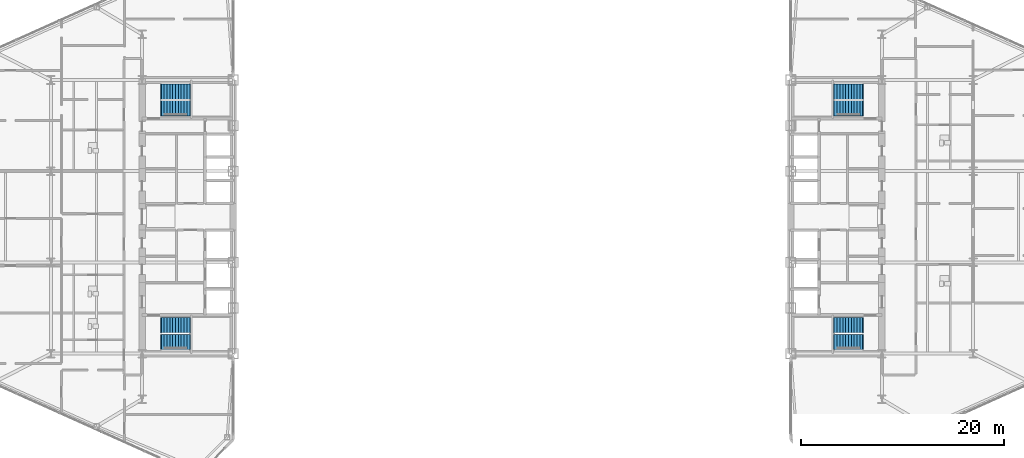
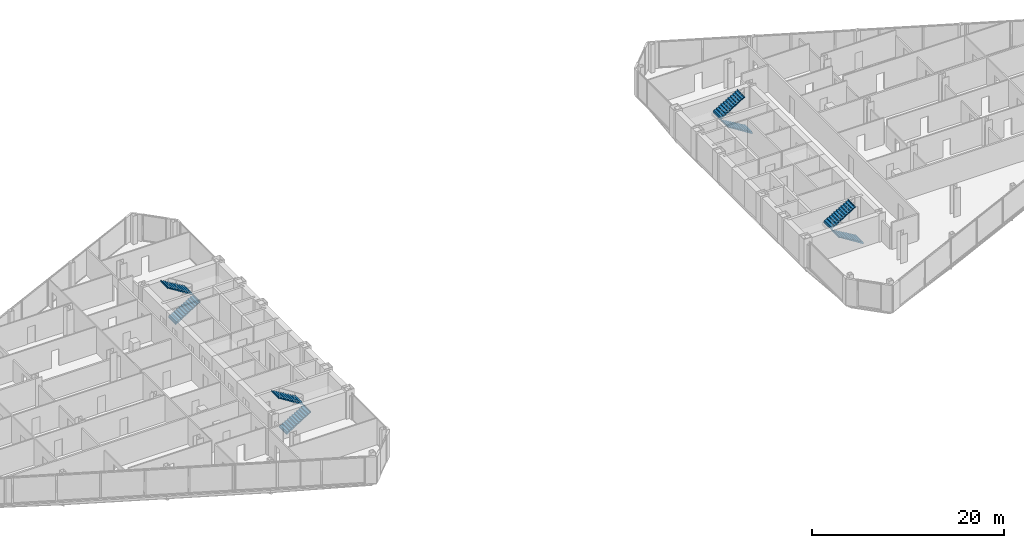
# One storey, part 25 of 27: 8 stair flights, 4 elements without a shape of their own.
"""IFC4 building model written with IfcOpenShell, lengths in metres."""

from ifc_helpers import new_model, si_unit, direction, frame, origin, place, context, subcontext, project, spatial, polyline, outline, extrude, material, type_object, element, aggregate, save


model = new_model("IFC4")

# Units and contexts
model_context = context("Model", 3, precision=1e-05, world=origin(), true_north=direction((0.0, 1.0)))
body_context = subcontext(model_context, "Body", "Model", "MODEL_VIEW")
ifc_project = project(units=[si_unit("LENGTHUNIT", "METRE"), si_unit("AREAUNIT", "SQUARE_METRE"), si_unit("VOLUMEUNIT", "CUBIC_METRE"), si_unit("PLANEANGLEUNIT", "RADIAN"), si_unit("MASSUNIT", "GRAM", prefix="KILO")], contexts=[model_context])

# Site, building, storey
site_placement = place(None, origin())
site = spatial("IfcSite", under=ifc_project, at=site_placement, CompositionType="ELEMENT")
building_placement = place(site_placement, origin())
building = spatial("IfcBuilding", under=site, at=building_placement, Name="Seokmaru Belvedere", CompositionType="ELEMENT")
storey_placement = place(building_placement, frame((0.0, 0.0, 69.300048828125)))
storey = spatial("IfcBuildingStorey", under=building, at=storey_placement, Name="L18", CompositionType="ELEMENT", Elevation=69.300048828125)

# Stair, stair flights
ifc_material = material(Name="Concrete C40 (40 MPa)", Category="concrete")
stair_type = type_object("IfcStairType", Name="Typical Tower Core Dog-Leg Stair 3600", PredefinedType="TWO_STRAIGHT_RUN_STAIR", material=ifc_material)
stair_1_placement = place(storey_placement, origin())
stair_1 = element("IfcStair", 1, at=stair_1_placement, inside=storey, type_object=stair_type, Name="L18 Special Escape Stair ST-W1", PredefinedType="TWO_STRAIGHT_RUN_STAIR")
stair_flight_type = type_object("IfcStairFlightType", Name="Reinforced Concrete Stair Flight 1500", PredefinedType="STRAIGHT", material=ifc_material)
stair_flight_1_placement = place(storey_placement, frame((-34.60009765625, -12.35009765625, 0.0), z_axis=(0.0, 0.0, 1.0), x_axis=(1.0, 0.0, 0.0)))
stair_flight_1 = element("IfcStairFlight", 2, at=stair_flight_1_placement, type_object=stair_flight_type, Name="ST-W1 flight 1", NumberOfRisers=11, NumberOfTreads=10, PredefinedType="STRAIGHT", RiserHeight=0.163636364, TreadLength=0.28, context=body_context, shape_type="SweptSolid", body=[
    extrude(outline(polyline([(-0.080078125, 0.0), (0.0, 0.16357421875), (0.280029296875, 0.16357421875), (0.280029296875, 0.327392578125), (0.56005859375, 0.327392578125), (0.56005859375, 0.490966796875), (0.840087890625, 0.490966796875), (0.840087890625, 0.654541015625), (1.1201171875, 0.654541015625), (1.1201171875, 0.818115234375), (1.39990234375, 0.818115234375), (1.39990234375, 0.98193359375), (1.679931640625, 0.98193359375), (1.679931640625, 1.1455078125), (1.9599609375, 1.1455078125), (1.9599609375, 1.30908203125), (2.239990234375, 1.30908203125), (2.239990234375, 1.47265625), (2.52001953125, 1.47265625), (2.52001953125, 1.636474609375), (2.800048828125, 1.636474609375), (2.800048828125, 1.800048828125), (2.8798828125, 1.800048828125), (2.8798828125, 1.610107421875), (2.800048828125, 1.610107421875), (0.0, -0.159912109375), (-0.080078125, -0.159912109375), (-0.080078125, 0.0)])), frame((0.0, 0.75, 0.0), z_axis=(0.0, -1.0, 0.0), x_axis=(1.0, 0.0, 0.0)), (0.0, 0.0, 1.0), 1.5),
])
stair_flight_2_placement = place(storey_placement, frame((-31.800048828125, -10.7099609375, 1.800048828125), z_axis=(0.0, 0.0, 1.0), x_axis=(-1.0, 0.0, 0.0)))
stair_flight_2 = element("IfcStairFlight", 3, at=stair_flight_2_placement, type_object=stair_flight_type, Name="ST-W1 flight 2", NumberOfRisers=11, NumberOfTreads=10, PredefinedType="STRAIGHT", RiserHeight=0.163636364, TreadLength=0.28, context=body_context, shape_type="SweptSolid", body=[
    extrude(outline(polyline([(-0.080078125, 0.0), (0.0, 0.16357421875), (0.280029296875, 0.16357421875), (0.280029296875, 0.327392578125), (0.56005859375, 0.327392578125), (0.56005859375, 0.490966796875), (0.840087890625, 0.490966796875), (0.840087890625, 0.654541015625), (1.1201171875, 0.654541015625), (1.1201171875, 0.818115234375), (1.39990234375, 0.818115234375), (1.39990234375, 0.98193359375), (1.679931640625, 0.98193359375), (1.679931640625, 1.1455078125), (1.9599609375, 1.1455078125), (1.9599609375, 1.30908203125), (2.239990234375, 1.30908203125), (2.239990234375, 1.47265625), (2.52001953125, 1.47265625), (2.52001953125, 1.636474609375), (2.800048828125, 1.636474609375), (2.800048828125, 1.800048828125), (2.8798828125, 1.800048828125), (2.8798828125, 1.610107421875), (2.800048828125, 1.610107421875), (0.0, -0.159912109375), (-0.080078125, -0.159912109375), (-0.080078125, 0.0)])), frame((0.0, 0.75, 0.0), z_axis=(0.0, -1.0, 0.0), x_axis=(1.0, 0.0, 0.0)), (0.0, 0.0, 1.0), 1.5),
])
aggregate(stair_1, [stair_flight_1, stair_flight_2])

stair_2_placement = place(storey_placement, origin())
stair_2 = element("IfcStair", 4, at=stair_2_placement, inside=storey, type_object=stair_type, Name="L18 Special Escape Stair ST-W2", PredefinedType="TWO_STRAIGHT_RUN_STAIR")
stair_flight_3_placement = place(storey_placement, frame((-34.60009765625, 10.7099609375, 0.0), z_axis=(0.0, 0.0, 1.0), x_axis=(1.0, 0.0, 0.0)))
stair_flight_3 = element("IfcStairFlight", 5, at=stair_flight_3_placement, type_object=stair_flight_type, Name="ST-W2 flight 1", NumberOfRisers=11, NumberOfTreads=10, PredefinedType="STRAIGHT", RiserHeight=0.163636364, TreadLength=0.28, context=body_context, shape_type="SweptSolid", body=[
    extrude(outline(polyline([(-0.080078125, 0.0), (0.0, 0.16357421875), (0.280029296875, 0.16357421875), (0.280029296875, 0.327392578125), (0.56005859375, 0.327392578125), (0.56005859375, 0.490966796875), (0.840087890625, 0.490966796875), (0.840087890625, 0.654541015625), (1.1201171875, 0.654541015625), (1.1201171875, 0.818115234375), (1.39990234375, 0.818115234375), (1.39990234375, 0.98193359375), (1.679931640625, 0.98193359375), (1.679931640625, 1.1455078125), (1.9599609375, 1.1455078125), (1.9599609375, 1.30908203125), (2.239990234375, 1.30908203125), (2.239990234375, 1.47265625), (2.52001953125, 1.47265625), (2.52001953125, 1.636474609375), (2.800048828125, 1.636474609375), (2.800048828125, 1.800048828125), (2.8798828125, 1.800048828125), (2.8798828125, 1.610107421875), (2.800048828125, 1.610107421875), (0.0, -0.159912109375), (-0.080078125, -0.159912109375), (-0.080078125, 0.0)])), frame((0.0, 0.75, 0.0), z_axis=(0.0, -1.0, 0.0), x_axis=(1.0, 0.0, 0.0)), (0.0, 0.0, 1.0), 1.5),
])
stair_flight_4_placement = place(storey_placement, frame((-31.800048828125, 12.35009765625, 1.800048828125), z_axis=(0.0, 0.0, 1.0), x_axis=(-1.0, 0.0, 0.0)))
stair_flight_4 = element("IfcStairFlight", 6, at=stair_flight_4_placement, type_object=stair_flight_type, Name="ST-W2 flight 2", NumberOfRisers=11, NumberOfTreads=10, PredefinedType="STRAIGHT", RiserHeight=0.163636364, TreadLength=0.28, context=body_context, shape_type="SweptSolid", body=[
    extrude(outline(polyline([(-0.080078125, 0.0), (0.0, 0.16357421875), (0.280029296875, 0.16357421875), (0.280029296875, 0.327392578125), (0.56005859375, 0.327392578125), (0.56005859375, 0.490966796875), (0.840087890625, 0.490966796875), (0.840087890625, 0.654541015625), (1.1201171875, 0.654541015625), (1.1201171875, 0.818115234375), (1.39990234375, 0.818115234375), (1.39990234375, 0.98193359375), (1.679931640625, 0.98193359375), (1.679931640625, 1.1455078125), (1.9599609375, 1.1455078125), (1.9599609375, 1.30908203125), (2.239990234375, 1.30908203125), (2.239990234375, 1.47265625), (2.52001953125, 1.47265625), (2.52001953125, 1.636474609375), (2.800048828125, 1.636474609375), (2.800048828125, 1.800048828125), (2.8798828125, 1.800048828125), (2.8798828125, 1.610107421875), (2.800048828125, 1.610107421875), (0.0, -0.159912109375), (-0.080078125, -0.159912109375), (-0.080078125, 0.0)])), frame((0.0, 0.75, 0.0), z_axis=(0.0, -1.0, 0.0), x_axis=(1.0, 0.0, 0.0)), (0.0, 0.0, 1.0), 1.5),
])
aggregate(stair_2, [stair_flight_3, stair_flight_4])

stair_3_placement = place(storey_placement, origin())
stair_3 = element("IfcStair", 7, at=stair_3_placement, inside=storey, type_object=stair_type, Name="L18 Special Escape Stair ST-E1", PredefinedType="TWO_STRAIGHT_RUN_STAIR")
stair_flight_5_placement = place(storey_placement, frame((34.60009765625, -12.35009765625, 0.0), z_axis=(0.0, 0.0, 1.0), x_axis=(-1.0, 0.0, 0.0)))
stair_flight_5 = element("IfcStairFlight", 8, at=stair_flight_5_placement, type_object=stair_flight_type, Name="ST-E1 flight 1", NumberOfRisers=11, NumberOfTreads=10, PredefinedType="STRAIGHT", RiserHeight=0.163636364, TreadLength=0.28, context=body_context, shape_type="SweptSolid", body=[
    extrude(outline(polyline([(-0.080078125, 0.0), (0.0, 0.16357421875), (0.280029296875, 0.16357421875), (0.280029296875, 0.327392578125), (0.56005859375, 0.327392578125), (0.56005859375, 0.490966796875), (0.840087890625, 0.490966796875), (0.840087890625, 0.654541015625), (1.1201171875, 0.654541015625), (1.1201171875, 0.818115234375), (1.39990234375, 0.818115234375), (1.39990234375, 0.98193359375), (1.679931640625, 0.98193359375), (1.679931640625, 1.1455078125), (1.9599609375, 1.1455078125), (1.9599609375, 1.30908203125), (2.239990234375, 1.30908203125), (2.239990234375, 1.47265625), (2.52001953125, 1.47265625), (2.52001953125, 1.636474609375), (2.800048828125, 1.636474609375), (2.800048828125, 1.800048828125), (2.8798828125, 1.800048828125), (2.8798828125, 1.610107421875), (2.800048828125, 1.610107421875), (0.0, -0.159912109375), (-0.080078125, -0.159912109375), (-0.080078125, 0.0)])), frame((0.0, 0.75, 0.0), z_axis=(0.0, -1.0, 0.0), x_axis=(1.0, 0.0, 0.0)), (0.0, 0.0, 1.0), 1.5),
])
stair_flight_6_placement = place(storey_placement, frame((31.800048828125, -10.7099609375, 1.800048828125), z_axis=(0.0, 0.0, 1.0), x_axis=(1.0, 0.0, 0.0)))
stair_flight_6 = element("IfcStairFlight", 9, at=stair_flight_6_placement, type_object=stair_flight_type, Name="ST-E1 flight 2", NumberOfRisers=11, NumberOfTreads=10, PredefinedType="STRAIGHT", RiserHeight=0.163636364, TreadLength=0.28, context=body_context, shape_type="SweptSolid", body=[
    extrude(outline(polyline([(-0.080078125, 0.0), (0.0, 0.16357421875), (0.280029296875, 0.16357421875), (0.280029296875, 0.327392578125), (0.56005859375, 0.327392578125), (0.56005859375, 0.490966796875), (0.840087890625, 0.490966796875), (0.840087890625, 0.654541015625), (1.1201171875, 0.654541015625), (1.1201171875, 0.818115234375), (1.39990234375, 0.818115234375), (1.39990234375, 0.98193359375), (1.679931640625, 0.98193359375), (1.679931640625, 1.1455078125), (1.9599609375, 1.1455078125), (1.9599609375, 1.30908203125), (2.239990234375, 1.30908203125), (2.239990234375, 1.47265625), (2.52001953125, 1.47265625), (2.52001953125, 1.636474609375), (2.800048828125, 1.636474609375), (2.800048828125, 1.800048828125), (2.8798828125, 1.800048828125), (2.8798828125, 1.610107421875), (2.800048828125, 1.610107421875), (0.0, -0.159912109375), (-0.080078125, -0.159912109375), (-0.080078125, 0.0)])), frame((0.0, 0.75, 0.0), z_axis=(0.0, -1.0, 0.0), x_axis=(1.0, 0.0, 0.0)), (0.0, 0.0, 1.0), 1.5),
])
aggregate(stair_3, [stair_flight_5, stair_flight_6])

stair_4_placement = place(storey_placement, origin())
stair_4 = element("IfcStair", 10, at=stair_4_placement, inside=storey, type_object=stair_type, Name="L18 Special Escape Stair ST-E2", PredefinedType="TWO_STRAIGHT_RUN_STAIR")
stair_flight_7_placement = place(storey_placement, frame((34.60009765625, 10.7099609375, 0.0), z_axis=(0.0, 0.0, 1.0), x_axis=(-1.0, 0.0, 0.0)))
stair_flight_7 = element("IfcStairFlight", 11, at=stair_flight_7_placement, type_object=stair_flight_type, Name="ST-E2 flight 1", NumberOfRisers=11, NumberOfTreads=10, PredefinedType="STRAIGHT", RiserHeight=0.163636364, TreadLength=0.28, context=body_context, shape_type="SweptSolid", body=[
    extrude(outline(polyline([(-0.080078125, 0.0), (0.0, 0.16357421875), (0.280029296875, 0.16357421875), (0.280029296875, 0.327392578125), (0.56005859375, 0.327392578125), (0.56005859375, 0.490966796875), (0.840087890625, 0.490966796875), (0.840087890625, 0.654541015625), (1.1201171875, 0.654541015625), (1.1201171875, 0.818115234375), (1.39990234375, 0.818115234375), (1.39990234375, 0.98193359375), (1.679931640625, 0.98193359375), (1.679931640625, 1.1455078125), (1.9599609375, 1.1455078125), (1.9599609375, 1.30908203125), (2.239990234375, 1.30908203125), (2.239990234375, 1.47265625), (2.52001953125, 1.47265625), (2.52001953125, 1.636474609375), (2.800048828125, 1.636474609375), (2.800048828125, 1.800048828125), (2.8798828125, 1.800048828125), (2.8798828125, 1.610107421875), (2.800048828125, 1.610107421875), (0.0, -0.159912109375), (-0.080078125, -0.159912109375), (-0.080078125, 0.0)])), frame((0.0, 0.75, 0.0), z_axis=(0.0, -1.0, 0.0), x_axis=(1.0, 0.0, 0.0)), (0.0, 0.0, 1.0), 1.5),
])
stair_flight_8_placement = place(storey_placement, frame((31.800048828125, 12.35009765625, 1.800048828125), z_axis=(0.0, 0.0, 1.0), x_axis=(1.0, 0.0, 0.0)))
stair_flight_8 = element("IfcStairFlight", 12, at=stair_flight_8_placement, type_object=stair_flight_type, Name="ST-E2 flight 2", NumberOfRisers=11, NumberOfTreads=10, PredefinedType="STRAIGHT", RiserHeight=0.163636364, TreadLength=0.28, context=body_context, shape_type="SweptSolid", body=[
    extrude(outline(polyline([(-0.080078125, 0.0), (0.0, 0.16357421875), (0.280029296875, 0.16357421875), (0.280029296875, 0.327392578125), (0.56005859375, 0.327392578125), (0.56005859375, 0.490966796875), (0.840087890625, 0.490966796875), (0.840087890625, 0.654541015625), (1.1201171875, 0.654541015625), (1.1201171875, 0.818115234375), (1.39990234375, 0.818115234375), (1.39990234375, 0.98193359375), (1.679931640625, 0.98193359375), (1.679931640625, 1.1455078125), (1.9599609375, 1.1455078125), (1.9599609375, 1.30908203125), (2.239990234375, 1.30908203125), (2.239990234375, 1.47265625), (2.52001953125, 1.47265625), (2.52001953125, 1.636474609375), (2.800048828125, 1.636474609375), (2.800048828125, 1.800048828125), (2.8798828125, 1.800048828125), (2.8798828125, 1.610107421875), (2.800048828125, 1.610107421875), (0.0, -0.159912109375), (-0.080078125, -0.159912109375), (-0.080078125, 0.0)])), frame((0.0, 0.75, 0.0), z_axis=(0.0, -1.0, 0.0), x_axis=(1.0, 0.0, 0.0)), (0.0, 0.0, 1.0), 1.5),
])
aggregate(stair_4, [stair_flight_7, stair_flight_8])

save(model, "model.ifc")
